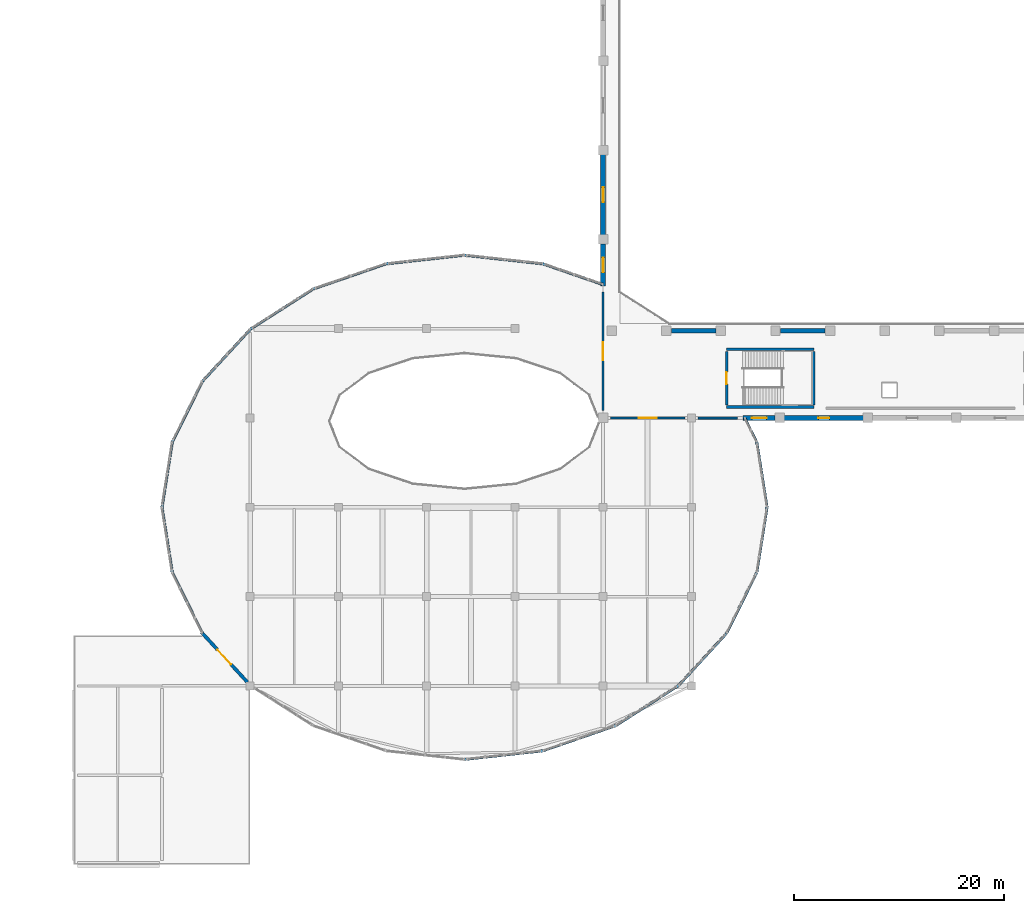
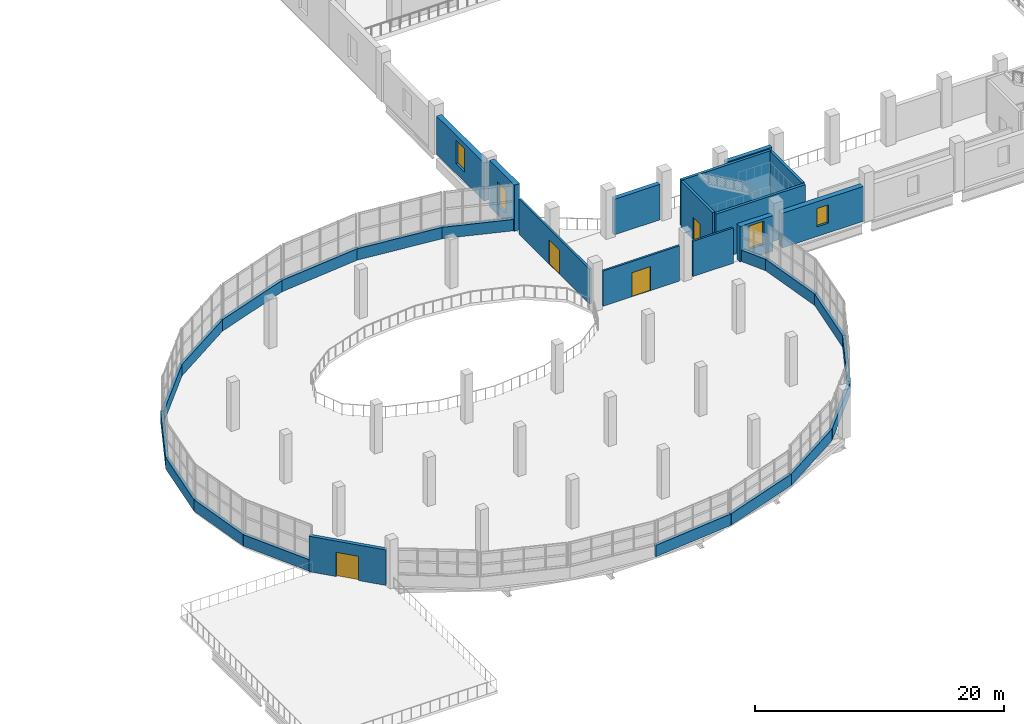
# One storey, part 58 of 77: 32 walls, 4 doors, 4 windows, 8 openings.
"""IFC4 building model written with IfcOpenShell, lengths in metres."""

from ifc_helpers import new_model, si_unit, direction, frame, frame_2d, origin, place, context, subcontext, project, spatial, rectangle, extrude, material, layer, layer_set, type_object, element, fill, save


model = new_model("IFC4")

# Units and contexts
model_context = context("Model", 3, precision=1e-05, world=origin(), true_north=direction((0.0, 1.0)))
body_context = subcontext(model_context, "Body", "Model", "MODEL_VIEW")
ifc_project = project(units=[si_unit("LENGTHUNIT", "METRE"), si_unit("AREAUNIT", "SQUARE_METRE"), si_unit("VOLUMEUNIT", "CUBIC_METRE"), si_unit("PLANEANGLEUNIT", "RADIAN"), si_unit("MASSUNIT", "GRAM", prefix="KILO")], contexts=[model_context])

# Site, building, storey
site_placement = place(None, origin())
site = spatial("IfcSite", under=ifc_project, at=site_placement, CompositionType="ELEMENT")
building_placement = place(site_placement, origin())
building = spatial("IfcBuilding", under=site, at=building_placement, Name="Solvento Point Concert Hall", CompositionType="ELEMENT")
storey_placement = place(building_placement, frame((0.0, 0.0, 10.199951171875)))
storey = spatial("IfcBuildingStorey", under=building, at=storey_placement, Name="L02", CompositionType="ELEMENT", Elevation=10.199951171875)

# Wall, opening, door
ifc_material_1 = material(Name="Acoustic Double-Stud Gypsum Partition")
ifc_layer_1 = layer(ifc_material_1, 0.179931640625)
ifc_layer_set_1 = layer_set([ifc_layer_1], Name="Acoustic Double-Stud Gypsum Partition")
wall_type_1 = type_object("IfcWallType", Name="AcousticPartition_180", PredefinedType="PARTITIONING", material=ifc_layer_set_1)
wall_1_placement = place(storey_placement, frame((75.10009765625, 42.47998046875, 0.0), z_axis=(0.0, 0.0, 1.0), x_axis=(1.0, 0.0, 0.0)))
wall_1 = element("IfcWall", 1, at=wall_1_placement, inside=storey, type_object=wall_type_1, Name="Interior acoustic partition PW-63 L02", PredefinedType="PARTITIONING", context=body_context, shape_type="SweptSolid", body=[
    extrude(rectangle(XDim=7.074951171875, YDim=0.179931640625, at=frame_2d((3.53759765625, 0.0))), origin(), (0.0, 0.0, 1.0), 3.4599609375),
])
opening_1_placement = place(wall_1_placement, frame((2.677490234375, 0.0, 0.0)))
opening_1 = element("IfcOpeningElement", 2, at=opening_1_placement, cuts=wall_1, Name="Opening DR-35", PredefinedType="OPENING", context=body_context, shape_type="SweptSolid", body=[
    extrude(rectangle(XDim=1.719970703125, YDim=2.360107421875, at=frame_2d((0.85986328125, 1.18017578125))), frame((0.0, 0.099853515625, 0.0), z_axis=(0.0, -1.0, 0.0), x_axis=(1.0, 0.0, 0.0)), (0.0, 0.0, 1.0), 0.199951171875),
])
ifc_material_2 = material(Name="Brazilian Hardwood Acoustic Door", Category="wood")
door_type_1 = type_object("IfcDoorType", Name="IntDoor_FoyerCafeRetail", OperationType="NOTDEFINED", PredefinedType="DOOR", material=ifc_material_2)
door_1_placement = place(opening_1_placement, origin())
door_1 = element("IfcDoor", 3, at=door_1_placement, inside=storey, type_object=door_type_1, Name="Interior door DR-35 L02", OperationType="SINGLE_SWING_LEFT", OverallHeight=2.360107421875, OverallWidth=1.719970703125, PredefinedType="DOOR", context=body_context, shape_type="SweptSolid", body=[
    extrude(rectangle(XDim=1.719970703125, YDim=2.360107421875, at=frame_2d((0.85986328125, 1.18017578125))), frame((0.0, 0.02490234375, 0.0), z_axis=(0.0, -1.0, 0.0), x_axis=(1.0, 0.0, 0.0)), (0.0, 0.0, 1.0), 0.050048828125),
])
fill(opening_1, door_1)

# Wall
wall_2_placement = place(storey_placement, frame((83.425048828125, 42.47998046875, 0.0), z_axis=(0.0, 0.0, 1.0), x_axis=(1.0, 0.0, 0.0)))
element("IfcWall", 4, at=wall_2_placement, inside=storey, type_object=wall_type_1, Name="Interior acoustic partition PW-63 L02", PredefinedType="PARTITIONING", context=body_context, shape_type="SweptSolid", body=[
    extrude(rectangle(XDim=3.75732421875, YDim=0.179931640625, at=frame_2d((1.878662109375, 0.0))), origin(), (0.0, 0.0, 1.0), 3.4599609375),
])

# Wall, opening, door
wall_3_placement = place(storey_placement, frame((74.3798828125, 54.499267578125, 0.0), z_axis=(0.0, 0.0, 1.0), x_axis=(0.0, -1.0, 0.0)))
wall_3 = element("IfcWall", 5, at=wall_3_placement, inside=storey, type_object=wall_type_1, Name="Interior acoustic partition PW-63 L02", PredefinedType="PARTITIONING", context=body_context, shape_type="SweptSolid", body=[
    extrude(rectangle(XDim=11.29931640625, YDim=0.179931640625, at=frame_2d((5.649658203125, 0.0))), origin(), (0.0, 0.0, 1.0), 3.4599609375),
])
opening_2_placement = place(wall_3_placement, frame((4.78955078125, 0.0, 0.0)))
opening_2 = element("IfcOpeningElement", 6, at=opening_2_placement, cuts=wall_3, Name="Opening DR-35", PredefinedType="OPENING", context=body_context, shape_type="SweptSolid", body=[
    extrude(rectangle(XDim=1.719970703125, YDim=2.360107421875, at=frame_2d((0.85986328125, 1.18017578125))), frame((0.0, 0.099853515625, 0.0), z_axis=(0.0, -1.0, 0.0), x_axis=(1.0, 0.0, 0.0)), (0.0, 0.0, 1.0), 0.199951171875),
])
door_2_placement = place(opening_2_placement, origin())
door_2 = element("IfcDoor", 7, at=door_2_placement, inside=storey, type_object=door_type_1, Name="Interior door DR-35 L02", OperationType="SINGLE_SWING_RIGHT", OverallHeight=2.360107421875, OverallWidth=1.719970703125, PredefinedType="DOOR", context=body_context, shape_type="SweptSolid", body=[
    extrude(rectangle(XDim=1.719970703125, YDim=2.360107421875, at=frame_2d((0.85986328125, 1.18017578125))), frame((0.0, 0.02490234375, 0.0), z_axis=(0.0, -1.0, 0.0), x_axis=(1.0, 0.0, 0.0)), (0.0, 0.0, 1.0), 0.050048828125),
])
fill(opening_2, door_2)

# Walls
ifc_material_3 = material(Name="Concrete C40/50", Category="concrete")
ifc_layer_2 = layer(ifc_material_3, 0.300048828125)
ifc_layer_set_2 = layer_set([ifc_layer_2], Name="Concrete C40/50")
wall_type_2 = type_object("IfcWallType", Name="CoreShearWall_300", PredefinedType="SHEAR", material=ifc_layer_set_2)
for number, where, z_axis, x_axis, name in (
    (8, (94.449951171875, 43.550048828125, 0.0), (0.0, 0.0, 1.0), (-1.0, 0.0, 0.0), "Stair core shear wall W-SH1 ST-06 L02"),
    (9, (86.14990234375, 49.050048828125, 0.0), (0.0, 0.0, 1.0), (1.0, 0.0, 0.0), "Stair core shear wall W-SH1 ST-06 L02"),
):
    element("IfcWall", number, at=place(storey_placement, frame(where, z_axis=z_axis, x_axis=x_axis)), inside=storey, type_object=wall_type_2, Name=name, PredefinedType="SHEAR", context=body_context, shape_type="SweptSolid", body=[
        extrude(rectangle(XDim=8.300048828125, YDim=0.25, at=frame_2d((4.14990234375, 0.0))), origin(), (0.0, 0.0, 1.0), 4.5400390625),
    ])

# Wall, opening, door
wall_4_placement = place(storey_placement, frame((86.14990234375, 43.75, 0.0), z_axis=(0.0, 0.0, 1.0), x_axis=(0.0, 1.0, 0.0)))
wall_4 = element("IfcWall", 10, at=wall_4_placement, inside=storey, type_object=wall_type_2, Name="Stair core shear wall W-SH1 ST-06 L02", PredefinedType="SHEAR", context=body_context, shape_type="SweptSolid", body=[
    extrude(rectangle(XDim=5.10009765625, YDim=0.25, at=frame_2d((2.550048828125, 0.0))), origin(), (0.0, 0.0, 1.0), 4.5400390625),
])
opening_3_placement = place(wall_4_placement, frame((1.97509765625, 0.0, 0.0)))
opening_3 = element("IfcOpeningElement", 11, at=opening_3_placement, cuts=wall_4, Name="Opening D-ST1", PredefinedType="OPENING", context=body_context, shape_type="SweptSolid", body=[
    extrude(rectangle(XDim=1.14990234375, YDim=2.179931640625, at=frame_2d((0.574951171875, 1.08984375))), frame((0.0, 0.135009765625, 0.0), z_axis=(0.0, -1.0, 0.0), x_axis=(1.0, 0.0, 0.0)), (0.0, 0.0, 1.0), 0.27001953125),
])
ifc_material_4 = material(Name="Hollow Metal Acoustic Fire Door")
door_type_2 = type_object("IfcDoorType", Name="StairFireDoor_1150", OperationType="NOTDEFINED", PredefinedType="DOOR", material=ifc_material_4)
door_3_placement = place(opening_3_placement, origin())
door_3 = element("IfcDoor", 12, at=door_3_placement, inside=storey, type_object=door_type_2, Name="Protected exit stair door ST-06 L02", OperationType="SINGLE_SWING_RIGHT", OverallHeight=2.179931640625, OverallWidth=1.14990234375, PredefinedType="DOOR", context=body_context, shape_type="SweptSolid", body=[
    extrude(rectangle(XDim=1.14990234375, YDim=2.179931640625, at=frame_2d((0.574951171875, 1.08984375))), frame((0.0, 0.02490234375, 0.0), z_axis=(0.0, -1.0, 0.0), x_axis=(1.0, 0.0, 0.0)), (0.0, 0.0, 1.0), 0.050048828125),
])
fill(opening_3, door_3)

# Walls
wall_5_placement = place(storey_placement, frame((94.449951171875, 48.85009765625, 0.0), z_axis=(0.0, 0.0, 1.0), x_axis=(0.0, -1.0, 0.0)))
element("IfcWall", 13, at=wall_5_placement, inside=storey, type_object=wall_type_2, Name="Stair core shear wall W-SH1 ST-06 L02", PredefinedType="SHEAR", context=body_context, shape_type="SweptSolid", body=[
    extrude(rectangle(XDim=5.10009765625, YDim=0.25, at=frame_2d((2.550048828125, 0.0))), origin(), (0.0, 0.0, 1.0), 4.5400390625),
])
ifc_material_5 = material(Name="Concrete C40/50", Category="concrete")
ifc_layer_3 = layer(ifc_material_5, 0.39990234375)
ifc_layer_set_3 = layer_set([ifc_layer_3], Name="Concrete C40/50")
wall_type_3 = type_object("IfcWallType", Name="DrumShearWall_400", PredefinedType="SHEAR", material=ifc_layer_set_3)
wall_6_placement = place(storey_placement, frame((80.8798828125, 50.800048828125, 0.0), z_axis=(0.0, 0.0, 1.0), x_axis=(1.0, 0.0, 0.0)))
element("IfcWall", 14, at=wall_6_placement, inside=storey, type_object=wall_type_3, Name="Symphonic acoustic drum shear wall W-DR1 L02", PredefinedType="SHEAR", context=body_context, shape_type="SweptSolid", body=[
    extrude(rectangle(XDim=4.240234375, YDim=0.39990234375, at=frame_2d((2.1201171875, 0.0))), origin(), (0.0, 0.0, 1.0), 3.489990234375),
])
wall_7_placement = place(storey_placement, frame((91.280029296875, 50.800048828125, 0.0), z_axis=(0.0, 0.0, 1.0), x_axis=(1.0, 0.0, 0.0)))
element("IfcWall", 15, at=wall_7_placement, inside=storey, type_object=wall_type_3, Name="Symphonic acoustic drum shear wall W-DR1 L02", PredefinedType="SHEAR", context=body_context, shape_type="SweptSolid", body=[
    extrude(rectangle(XDim=4.239990234375, YDim=0.39990234375, at=frame_2d((2.1201171875, 0.0))), origin(), (0.0, 0.0, 1.0), 3.489990234375),
])

# Wall, opening, window
ifc_material_6 = material(Name="Concrete C40/50", Category="concrete")
ifc_layer_4 = layer(ifc_material_6, 0.47998046875)
ifc_layer_set_4 = layer_set([ifc_layer_4], Name="Concrete C40/50")
wall_type_4 = type_object("IfcWallType", Name="ExtWall_V1_Drum_480", PredefinedType="SOLIDWALL", material=ifc_layer_set_4)
wall_8_placement = place(storey_placement, frame((74.39990234375, 55.038818359375, 0.0), z_axis=(0.0, 0.0, 1.0), x_axis=(0.0, 1.0, 0.0)))
wall_8 = element("IfcWall", 16, at=wall_8_placement, inside=storey, type_object=wall_type_4, Name="Exterior architectural concrete wall EW-46 L02", PredefinedType="SOLIDWALL", context=body_context, shape_type="SweptSolid", body=[
    extrude(rectangle(XDim=4.03125, YDim=0.47998046875, at=frame_2d((2.015625, 0.0))), origin(), (0.0, 0.0, 1.0), 4.5400390625),
])
opening_4_placement = place(wall_8_placement, frame((1.315673828125, 0.0, 0.949951171875)))
opening_4 = element("IfcOpeningElement", 17, at=opening_4_placement, cuts=wall_8, Name="Opening WN-33", PredefinedType="OPENING", context=body_context, shape_type="SweptSolid", body=[
    extrude(rectangle(XDim=1.39990234375, YDim=2.300048828125, at=frame_2d((0.699951171875, 1.14990234375))), frame((0.0, 0.25, 0.0), z_axis=(0.0, -1.0, 0.0), x_axis=(1.0, 0.0, 0.0)), (0.0, 0.0, 1.0), 0.5),
])
ifc_material_7 = material(Name="Hurricane Laminated Low-E Glass", Category="glass")
window_type_1 = type_object("IfcWindowType", Name="Win_V1_ParterreSlot_L02", PartitioningType="SINGLE_PANEL", PredefinedType="WINDOW", material=ifc_material_7)
window_1_placement = place(opening_4_placement, origin())
window_1 = element("IfcWindow", 18, at=window_1_placement, inside=storey, type_object=window_type_1, Name="Impact acoustic window WN-33", OverallHeight=2.300048828125, OverallWidth=1.39990234375, PartitioningType="SINGLE_PANEL", PredefinedType="WINDOW", context=body_context, shape_type="SweptSolid", body=[
    extrude(rectangle(XDim=1.39990234375, YDim=2.300048828125, at=frame_2d((0.699951171875, 1.14990234375))), frame((0.0, 0.030029296875, 0.0), z_axis=(0.0, -1.0, 0.0), x_axis=(1.0, 0.0, 0.0)), (0.0, 0.0, 1.0), 0.06005859375),
])
fill(opening_4, window_1)

wall_9_placement = place(storey_placement, frame((74.39990234375, 59.929931640625, 0.0), z_axis=(0.0, 0.0, 1.0), x_axis=(0.0, 1.0, 0.0)))
wall_9 = element("IfcWall", 19, at=wall_9_placement, inside=storey, type_object=wall_type_4, Name="Exterior architectural concrete wall EW-46 L02", PredefinedType="SOLIDWALL", context=body_context, shape_type="SweptSolid", body=[
    extrude(rectangle(XDim=7.64013671875, YDim=0.47998046875, at=frame_2d((3.820068359375, 0.0))), origin(), (0.0, 0.0, 1.0), 3.736083984375),
])
opening_5_placement = place(wall_9_placement, frame((3.1201171875, 0.0, 0.949951171875)))
opening_5 = element("IfcOpeningElement", 20, at=opening_5_placement, cuts=wall_9, Name="Opening WN-33", PredefinedType="OPENING", context=body_context, shape_type="SweptSolid", body=[
    extrude(rectangle(XDim=1.39990234375, YDim=2.300048828125, at=frame_2d((0.699951171875, 1.14990234375))), frame((0.0, 0.25, 0.0), z_axis=(0.0, -1.0, 0.0), x_axis=(1.0, 0.0, 0.0)), (0.0, 0.0, 1.0), 0.5),
])
window_2_placement = place(opening_5_placement, origin())
window_2 = element("IfcWindow", 21, at=window_2_placement, inside=storey, type_object=window_type_1, Name="Impact acoustic window WN-33", OverallHeight=2.300048828125, OverallWidth=1.39990234375, PartitioningType="SINGLE_PANEL", PredefinedType="WINDOW", context=body_context, shape_type="SweptSolid", body=[
    extrude(rectangle(XDim=1.39990234375, YDim=2.300048828125, at=frame_2d((0.699951171875, 1.14990234375))), frame((0.0, 0.030029296875, 0.0), z_axis=(0.0, -1.0, 0.0), x_axis=(1.0, 0.0, 0.0)), (0.0, 0.0, 1.0), 0.06005859375),
])
fill(opening_5, window_2)

wall_10_placement = place(storey_placement, frame((90.77001953125, 42.5, 0.0), z_axis=(0.0, 0.0, 1.0), x_axis=(-1.0, 0.0, 0.0)))
wall_10 = element("IfcWall", 22, at=wall_10_placement, inside=storey, type_object=wall_type_4, Name="Exterior architectural concrete wall EW-46 L02", PredefinedType="SOLIDWALL", context=body_context, shape_type="SweptSolid", body=[
    extrude(rectangle(XDim=3.048828125, YDim=0.47998046875, at=frame_2d((1.5244140625, 0.0))), origin(), (0.0, 0.0, 1.0), 3.485107421875),
])
opening_6_placement = place(wall_10_placement, frame((0.82421875, 0.0, 0.949951171875)))
opening_6 = element("IfcOpeningElement", 23, at=opening_6_placement, cuts=wall_10, Name="Opening WN-33", PredefinedType="OPENING", context=body_context, shape_type="SweptSolid", body=[
    extrude(rectangle(XDim=1.39990234375, YDim=2.300048828125, at=frame_2d((0.699951171875, 1.14990234375))), frame((0.0, 0.25, 0.0), z_axis=(0.0, -1.0, 0.0), x_axis=(1.0, 0.0, 0.0)), (0.0, 0.0, 1.0), 0.5),
])
window_3_placement = place(opening_6_placement, origin())
window_3 = element("IfcWindow", 24, at=window_3_placement, inside=storey, type_object=window_type_1, Name="Impact acoustic window WN-33", OverallHeight=2.300048828125, OverallWidth=1.39990234375, PartitioningType="SINGLE_PANEL", PredefinedType="WINDOW", context=body_context, shape_type="SweptSolid", body=[
    extrude(rectangle(XDim=1.39990234375, YDim=2.300048828125, at=frame_2d((0.699951171875, 1.14990234375))), frame((0.0, 0.030029296875, 0.0), z_axis=(0.0, -1.0, 0.0), x_axis=(1.0, 0.0, 0.0)), (0.0, 0.0, 1.0), 0.06005859375),
])
fill(opening_6, window_3)

wall_11_placement = place(storey_placement, frame((99.169921875, 42.5, 0.0), z_axis=(0.0, 0.0, 1.0), x_axis=(-1.0, 0.0, 0.0)))
wall_11 = element("IfcWall", 25, at=wall_11_placement, inside=storey, type_object=wall_type_4, Name="Exterior architectural concrete wall EW-46 L02", PredefinedType="SOLIDWALL", context=body_context, shape_type="SweptSolid", body=[
    extrude(rectangle(XDim=7.5400390625, YDim=0.47998046875, at=frame_2d((3.77001953125, 0.0))), origin(), (0.0, 0.0, 1.0), 3.4169921875),
])
opening_7_placement = place(wall_11_placement, frame((3.2451171875, 0.0, 0.949951171875)))
opening_7 = element("IfcOpeningElement", 26, at=opening_7_placement, cuts=wall_11, Name="Opening WN-89", PredefinedType="OPENING", context=body_context, shape_type="SweptSolid", body=[
    extrude(rectangle(XDim=1.050048828125, YDim=1.800048828125, at=frame_2d((0.52490234375, 0.89990234375))), frame((0.0, 0.25, 0.0), z_axis=(0.0, -1.0, 0.0), x_axis=(1.0, 0.0, 0.0)), (0.0, 0.0, 1.0), 0.5),
])
ifc_material_8 = material(Name="Hurricane Laminated Low-E Glass", Category="glass")
window_type_2 = type_object("IfcWindowType", Name="Win_NarrowPier_1050", PartitioningType="SINGLE_PANEL", PredefinedType="WINDOW", material=ifc_material_8)
window_4_placement = place(opening_7_placement, origin())
window_4 = element("IfcWindow", 27, at=window_4_placement, inside=storey, type_object=window_type_2, Name="Impact acoustic window WN-89", OverallHeight=1.800048828125, OverallWidth=1.050048828125, PartitioningType="SINGLE_PANEL", PredefinedType="WINDOW", context=body_context, shape_type="SweptSolid", body=[
    extrude(rectangle(XDim=1.050048828125, YDim=1.800048828125, at=frame_2d((0.52490234375, 0.89990234375))), frame((0.0, 0.030029296875, 0.0), z_axis=(0.0, -1.0, 0.0), x_axis=(1.0, 0.0, 0.0)), (0.0, 0.0, 1.0), 0.06005859375),
])
fill(opening_7, window_4)

# Wall, opening, door
ifc_material_9 = material(Name="Concrete C40/50", Category="concrete")
ifc_layer_5 = layer(ifc_material_9, 0.320068359375)
ifc_layer_set_5 = layer_set([ifc_layer_5], Name="Concrete C40/50")
wall_type_5 = type_object("IfcWallType", Name="ExtWall_V2_Ring_320", PredefinedType="SOLIDWALL", material=ifc_layer_set_5)
wall_12_placement = place(storey_placement, frame((40.535400390625, 17.35498046875, 0.0), z_axis=(0.0, 0.0, 1.0), x_axis=(-0.677355479106, 0.735655867186, 0.0)))
wall_12 = element("IfcWall", 28, at=wall_12_placement, inside=storey, type_object=wall_type_5, Name="Exterior architectural concrete wall EW-71 L02", PredefinedType="SOLIDWALL", context=body_context, shape_type="SweptSolid", body=[
    extrude(rectangle(XDim=6.47412109375, YDim=0.320068359375, at=frame_2d((3.237060546875, 0.0))), origin(), (0.0, 0.0, 1.0), 3.48193359375),
])
opening_8_placement = place(wall_12_placement, frame((2.287109375, 0.0, 0.0)))
opening_8 = element("IfcOpeningElement", 29, at=opening_8_placement, cuts=wall_12, Name="Opening TD-02", PredefinedType="OPENING", context=body_context, shape_type="SweptSolid", body=[
    extrude(rectangle(XDim=1.89990234375, YDim=2.3798828125, at=frame_2d((0.949951171875, 1.18994140625))), frame((0.0, 0.169921875, 0.0), z_axis=(0.0, -1.0, 0.0), x_axis=(1.0, 0.0, 0.0)), (0.0, 0.0, 1.0), 0.340087890625),
])
ifc_material_10 = material(Name="Anodized Bronze Aluminium", Category="aluminium")
door_type_3 = type_object("IfcDoorType", Name="TerraceDoor_TD-02", OperationType="NOTDEFINED", PredefinedType="DOOR", material=ifc_material_10)
door_4_placement = place(opening_8_placement, origin())
door_4 = element("IfcDoor", 30, at=door_4_placement, inside=storey, type_object=door_type_3, Name="Exterior terrace access glazed door TD-02", OperationType="SINGLE_SWING_LEFT", OverallHeight=2.3798828125, OverallWidth=1.89990234375, PredefinedType="DOOR", context=body_context, shape_type="SweptSolid", body=[
    extrude(rectangle(XDim=1.89990234375, YDim=2.3798828125, at=frame_2d((0.949951171875, 1.18994140625))), frame((0.0, 0.02490234375, 0.0), z_axis=(0.0, -1.0, 0.0), x_axis=(1.0, 0.0, 0.0)), (0.0, 0.0, 1.0), 0.050048828125),
])
fill(opening_8, door_4)

# Walls
ifc_material_11 = material(Name="Concrete C40/50", Category="concrete")
ifc_layer_6 = layer(ifc_material_11, 0.260009765625)
ifc_layer_set_6 = layer_set([ifc_layer_6], Name="Concrete C40/50")
wall_type_6 = type_object("IfcWallType", Name="Parapet_Ring_260", PredefinedType="PARAPET", material=ifc_layer_set_6)
wall_13_placement = place(storey_placement, frame((36.258544921875, 22.0, 0.0), z_axis=(0.0, 0.0, 1.0), x_axis=(-0.445112384226, 0.895474715114, 0.0)))
element("IfcWall", 31, at=wall_13_placement, inside=storey, type_object=wall_type_6, Name="Sliding elliptical white concrete ring spandrel PR-01 L02", PredefinedType="PARAPET", context=body_context, shape_type="SweptSolid", body=[
    extrude(rectangle(XDim=6.4638671875, YDim=0.260009765625, at=frame_2d((3.23193359375, 0.0))), origin(), (0.0, 0.0, 1.0), 1.1201171875),
])
for number, where, z_axis, x_axis, name in (
    (32, (33.38134765625, 27.788330078125, 0.0), (0.0, 0.0, 1.0), (-0.15606424419, 0.987746906695, 0.0), "Sliding elliptical white concrete ring spandrel PR-01 L02"),
    (33, (32.39990234375, 34.0, 0.0), (0.0, 0.0, 1.0), (0.15606424419, 0.987746906695, 0.0), "Sliding elliptical white concrete ring spandrel PR-01 L02"),
):
    element("IfcWall", number, at=place(storey_placement, frame(where, z_axis=z_axis, x_axis=x_axis)), inside=storey, type_object=wall_type_6, Name=name, PredefinedType="PARAPET", context=body_context, shape_type="SweptSolid", body=[
        extrude(rectangle(XDim=6.288818359375, YDim=0.260009765625, at=frame_2d((3.14453125, 0.0))), origin(), (0.0, 0.0, 1.0), 1.1201171875),
    ])
wall_14_placement = place(storey_placement, frame((33.38134765625, 40.211669921875, 0.0), z_axis=(0.0, 0.0, 1.0), x_axis=(0.445112384226, 0.895474715114, 0.0)))
element("IfcWall", 34, at=wall_14_placement, inside=storey, type_object=wall_type_6, Name="Sliding elliptical white concrete ring spandrel PR-01 L02", PredefinedType="PARAPET", context=body_context, shape_type="SweptSolid", body=[
    extrude(rectangle(XDim=6.4638671875, YDim=0.260009765625, at=frame_2d((3.23193359375, 0.0))), origin(), (0.0, 0.0, 1.0), 1.1201171875),
])
wall_15_placement = place(storey_placement, frame((36.258544921875, 46.0, 0.0), z_axis=(0.0, 0.0, 1.0), x_axis=(0.677346104657, 0.735664498604, 0.0)))
element("IfcWall", 35, at=wall_15_placement, inside=storey, type_object=wall_type_6, Name="Sliding elliptical white concrete ring spandrel PR-01 L02", PredefinedType="PARAPET", context=body_context, shape_type="SweptSolid", body=[
    extrude(rectangle(XDim=6.7568359375, YDim=0.260009765625, at=frame_2d((3.37841796875, 0.0))), origin(), (0.0, 0.0, 1.0), 1.1201171875),
])
wall_16_placement = place(storey_placement, frame((40.835205078125, 50.970703125, 0.0), z_axis=(0.0, 0.0, 1.0), x_axis=(0.842498031916, 0.53869942103, 0.0)))
element("IfcWall", 36, at=wall_16_placement, inside=storey, type_object=wall_type_6, Name="Sliding elliptical white concrete ring spandrel PR-01 L02", PredefinedType="PARAPET", context=body_context, shape_type="SweptSolid", body=[
    extrude(rectangle(XDim=7.079833984375, YDim=0.260009765625, at=frame_2d((3.5400390625, 0.0))), origin(), (0.0, 0.0, 1.0), 1.1201171875),
])
wall_17_placement = place(storey_placement, frame((46.800048828125, 54.78466796875, 0.0), z_axis=(0.0, 0.0, 1.0), x_axis=(0.945277609802, 0.326267130444, 0.0)))
element("IfcWall", 37, at=wall_17_placement, inside=storey, type_object=wall_type_6, Name="Sliding elliptical white concrete ring spandrel PR-01 L02", PredefinedType="PARAPET", context=body_context, shape_type="SweptSolid", body=[
    extrude(rectangle(XDim=7.34814453125, YDim=0.260009765625, at=frame_2d((3.674072265625, 0.0))), origin(), (0.0, 0.0, 1.0), 1.1201171875),
])
wall_18_placement = place(storey_placement, frame((53.74609375, 57.18212890625, 0.0), z_axis=(0.0, 0.0, 1.0), x_axis=(0.99403407861, 0.109069934275, 0.0)))
element("IfcWall", 38, at=wall_18_placement, inside=storey, type_object=wall_type_6, Name="Sliding elliptical white concrete ring spandrel PR-01 L02", PredefinedType="PARAPET", context=body_context, shape_type="SweptSolid", body=[
    extrude(rectangle(XDim=7.49853515625, YDim=0.260009765625, at=frame_2d((3.749267578125, 0.0))), origin(), (0.0, 0.0, 1.0), 1.1201171875),
])
wall_19_placement = place(storey_placement, frame((61.199951171875, 58.0, 0.0), z_axis=(0.0, 0.0, 1.0), x_axis=(0.994034465911, -0.109066404454, 0.0)))
element("IfcWall", 39, at=wall_19_placement, inside=storey, type_object=wall_type_6, Name="Sliding elliptical white concrete ring spandrel PR-01 L02", PredefinedType="PARAPET", context=body_context, shape_type="SweptSolid", body=[
    extrude(rectangle(XDim=7.498779296875, YDim=0.260009765625, at=frame_2d((3.74951171875, 0.0))), origin(), (0.0, 0.0, 1.0), 1.1201171875),
])
wall_20_placement = place(storey_placement, frame((68.654052734375, 57.18212890625, 0.0), z_axis=(0.0, 0.0, 1.0), x_axis=(0.945267933336, -0.326295164241, 0.0)))
element("IfcWall", 40, at=wall_20_placement, inside=storey, type_object=wall_type_6, Name="Sliding elliptical white concrete ring spandrel PR-01 L02", PredefinedType="PARAPET", context=body_context, shape_type="SweptSolid", body=[
    extrude(rectangle(XDim=6.07861328125, YDim=0.260009765625, at=frame_2d((3.039306640625, 0.0))), origin(), (0.0, 0.0, 1.0), 1.1201171875),
])
wall_21_placement = place(storey_placement, frame((87.88134765625, 42.5, 0.0), z_axis=(0.0, 0.0, 1.0), x_axis=(0.445110529496, -0.89547563704, 0.0)))
element("IfcWall", 41, at=wall_21_placement, inside=storey, type_object=wall_type_6, Name="Sliding elliptical white concrete ring spandrel PR-01 L02", PredefinedType="PARAPET", context=body_context, shape_type="SweptSolid", body=[
    extrude(rectangle(XDim=2.555419921875, YDim=0.260009765625, at=frame_2d((1.27783203125, 0.0))), origin(), (0.0, 0.0, 1.0), 1.1201171875),
])
for number, where, z_axis, x_axis, name in (
    (42, (89.018798828125, 40.211669921875, 0.0), (0.0, 0.0, 1.0), (0.156026367443, -0.987752890485, 0.0), "Sliding elliptical white concrete ring spandrel PR-01 L02"),
    (43, (90.0, 34.0, 0.0), (0.0, 0.0, 1.0), (-0.156026367443, -0.987752890485, 0.0), "Sliding elliptical white concrete ring spandrel PR-01 L02"),
):
    element("IfcWall", number, at=place(storey_placement, frame(where, z_axis=z_axis, x_axis=x_axis)), inside=storey, type_object=wall_type_6, Name=name, PredefinedType="PARAPET", context=body_context, shape_type="SweptSolid", body=[
        extrude(rectangle(XDim=6.28857421875, YDim=0.260009765625, at=frame_2d((3.144287109375, 0.0))), origin(), (0.0, 0.0, 1.0), 1.1201171875),
    ])
wall_22_placement = place(storey_placement, frame((89.018798828125, 27.788330078125, 0.0), z_axis=(0.0, 0.0, 1.0), x_axis=(-0.445112384226, -0.895474715114, 0.0)))
element("IfcWall", 44, at=wall_22_placement, inside=storey, type_object=wall_type_6, Name="Sliding elliptical white concrete ring spandrel PR-01 L02", PredefinedType="PARAPET", context=body_context, shape_type="SweptSolid", body=[
    extrude(rectangle(XDim=6.4638671875, YDim=0.260009765625, at=frame_2d((3.23193359375, 0.0))), origin(), (0.0, 0.0, 1.0), 1.1201171875),
])
wall_23_placement = place(storey_placement, frame((86.1416015625, 22.0, 0.0), z_axis=(0.0, 0.0, 1.0), x_axis=(-0.677365659111, -0.735646493812, 0.0)))
element("IfcWall", 45, at=wall_23_placement, inside=storey, type_object=wall_type_6, Name="Sliding elliptical white concrete ring spandrel PR-01 L02", PredefinedType="PARAPET", context=body_context, shape_type="SweptSolid", body=[
    extrude(rectangle(XDim=6.7568359375, YDim=0.260009765625, at=frame_2d((3.37841796875, 0.0))), origin(), (0.0, 0.0, 1.0), 1.1201171875),
])
wall_24_placement = place(storey_placement, frame((81.564697265625, 17.029296875, 0.0), z_axis=(0.0, 0.0, 1.0), x_axis=(-0.842488024503, -0.538715071785, 0.0)))
element("IfcWall", 46, at=wall_24_placement, inside=storey, type_object=wall_type_6, Name="Sliding elliptical white concrete ring spandrel PR-01 L02", PredefinedType="PARAPET", context=body_context, shape_type="SweptSolid", body=[
    extrude(rectangle(XDim=7.079833984375, YDim=0.260009765625, at=frame_2d((3.5400390625, 0.0))), origin(), (0.0, 0.0, 1.0), 1.1201171875),
])
wall_25_placement = place(storey_placement, frame((75.60009765625, 13.21533203125, 0.0), z_axis=(0.0, 0.0, 1.0), x_axis=(-0.945277609802, -0.326267130444, 0.0)))
element("IfcWall", 47, at=wall_25_placement, inside=storey, type_object=wall_type_6, Name="Sliding elliptical white concrete ring spandrel PR-01 L02", PredefinedType="PARAPET", context=body_context, shape_type="SweptSolid", body=[
    extrude(rectangle(XDim=7.34814453125, YDim=0.260009765625, at=frame_2d((3.674072265625, 0.0))), origin(), (0.0, 0.0, 1.0), 1.1201171875),
])
wall_26_placement = place(storey_placement, frame((68.654052734375, 10.81787109375, 0.0), z_axis=(0.0, 0.0, 1.0), x_axis=(-0.994034465911, -0.109066404454, 0.0)))
element("IfcWall", 48, at=wall_26_placement, inside=storey, type_object=wall_type_6, Name="Sliding elliptical white concrete ring spandrel PR-01 L02", PredefinedType="PARAPET", context=body_context, shape_type="SweptSolid", body=[
    extrude(rectangle(XDim=7.498779296875, YDim=0.260009765625, at=frame_2d((3.74951171875, 0.0))), origin(), (0.0, 0.0, 1.0), 1.1201171875),
])

save(model, "model.ifc")
